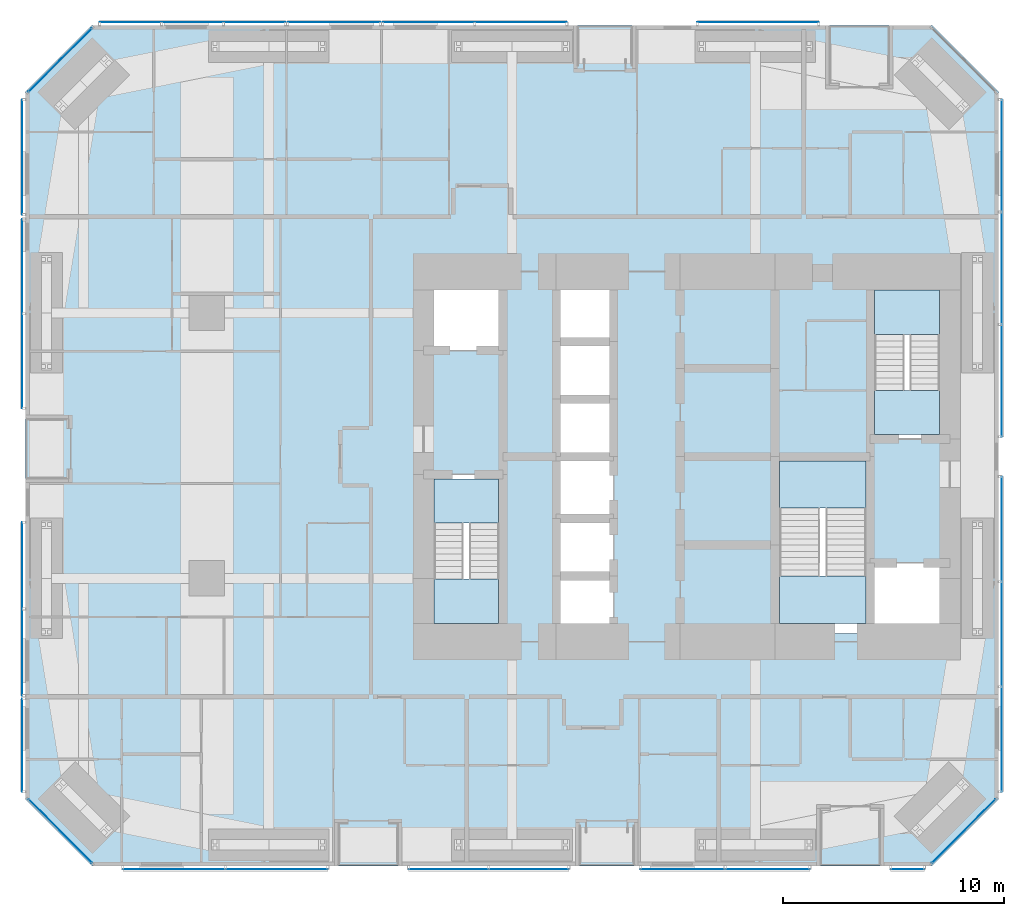
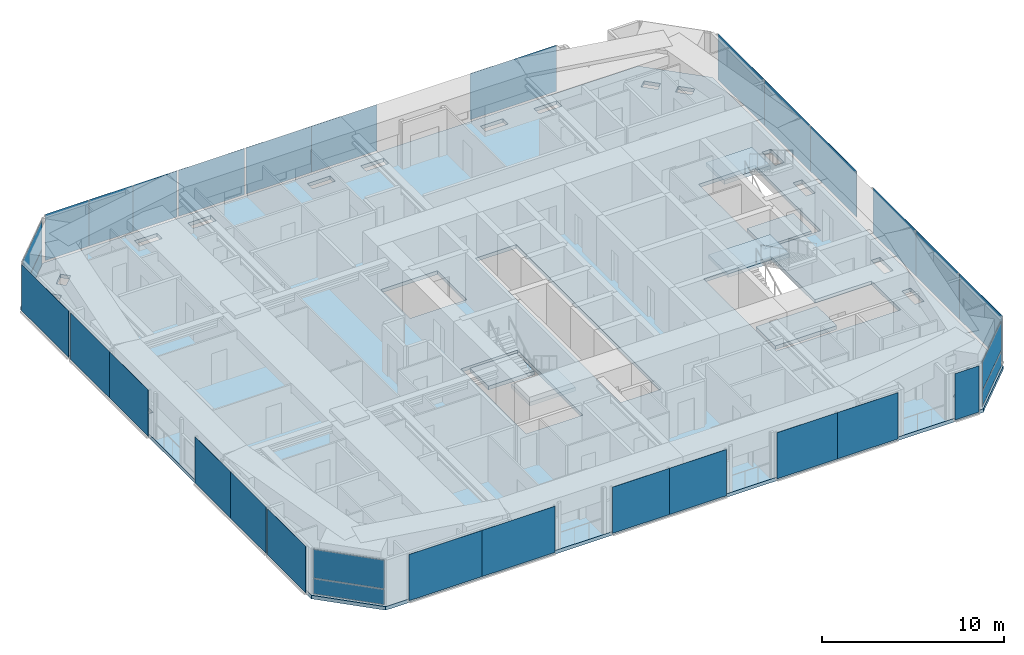
# One storey, part 15 of 23: 32 plates, 7 slabs, 20 elements without a shape of their own.
"""IFC4 building model written with IfcOpenShell, lengths in metres."""

from ifc_helpers import new_model, si_unit, direction, frame, origin, origin_2d, place, context, subcontext, project, spatial, polyline, rectangle, outline, extrude, material, layer, layer_set, type_object, element, aggregate, save


model = new_model("IFC4")

# Units and contexts
model_context = context("Model", 3, precision=1e-05, world=origin(), true_north=direction((0.0, 1.0)))
body_context = subcontext(model_context, "Body", "Model", "MODEL_VIEW")
ifc_project = project(units=[si_unit("LENGTHUNIT", "METRE"), si_unit("AREAUNIT", "SQUARE_METRE"), si_unit("VOLUMEUNIT", "CUBIC_METRE"), si_unit("PLANEANGLEUNIT", "RADIAN"), si_unit("MASSUNIT", "GRAM", prefix="KILO")], contexts=[model_context])

# Site, building, storey
site_placement = place(None, origin())
site = spatial("IfcSite", under=ifc_project, at=site_placement, CompositionType="ELEMENT")
building_placement = place(site_placement, origin())
building = spatial("IfcBuilding", under=site, at=building_placement, Name="Jalousie Tower", CompositionType="ELEMENT")
storey_placement = place(building_placement, frame((0.0, 0.0, 31.050048828125)))
storey = spatial("IfcBuildingStorey", under=building, at=storey_placement, Name="L07", CompositionType="ELEMENT", Elevation=31.050048828125)

# Curtain wall, plates
ifc_material_1 = material(Name="Aluminium curtain wall", Category="aluminium")
curtain_wall_type_1 = type_object("IfcCurtainWallType", Name="CORNER WINDOW WALL", PredefinedType="USERDEFINED", material=ifc_material_1)
curtain_wall_1_placement = place(storey_placement, origin())
curtain_wall_1 = element("IfcCurtainWall", 1, at=curtain_wall_1_placement, inside=storey, type_object=curtain_wall_type_1, Name="Corner Window Wall L07 2", ObjectType="CORNER WINDOW WALL", PredefinedType="USERDEFINED")
ifc_material_2 = material(Name="Laminated impact-rated spandrel glass", Category="glass")
ifc_layer_1 = layer(ifc_material_2, 0.028076171875)
ifc_layer_set_1 = layer_set([ifc_layer_1], Name="Laminated impact-rated spandrel glass")
plate_type_1 = type_object("IfcPlateType", Name="CORNER WINDOW WALL PANEL", PredefinedType="CURTAIN_PANEL", material=ifc_layer_set_1)
plate_1_placement = place(storey_placement, frame((44.4306640625, 1.5693359375, 0.06005859375), z_axis=(0.0, 0.0, 1.0), x_axis=(0.707106781187, 0.707106781187, 0.0)))
plate_1 = element("IfcPlate", 2, at=plate_1_placement, type_object=plate_type_1, Name="CW-C panel 1.1", PredefinedType="CURTAIN_PANEL", context=body_context, shape_type="SweptSolid", body=[
    extrude(rectangle(XDim=4.071533203125, YDim=0.028076171875, at=origin_2d()), origin(), (0.0, 0.0, 1.0), 1.010009765625),
])
plate_2_placement = place(storey_placement, frame((44.4306640625, 1.5693359375, 1.1298828125), z_axis=(0.0, 0.0, 1.0), x_axis=(0.707106781187, 0.707106781187, 0.0)))
plate_2 = element("IfcPlate", 3, at=plate_2_placement, type_object=plate_type_1, Name="CW-C panel 1.2", PredefinedType="CURTAIN_PANEL", context=body_context, shape_type="SweptSolid", body=[
    extrude(rectangle(XDim=4.071533203125, YDim=0.028076171875, at=origin_2d()), origin(), (0.0, 0.0, 1.0), 1.919921875),
])
aggregate(curtain_wall_1, [plate_1, plate_2])

curtain_wall_2_placement = place(storey_placement, origin())
curtain_wall_2 = element("IfcCurtainWall", 4, at=curtain_wall_2_placement, inside=storey, type_object=curtain_wall_type_1, Name="Corner Window Wall L07 6", ObjectType="CORNER WINDOW WALL", PredefinedType="USERDEFINED")
plate_3_placement = place(storey_placement, frame((3.5693359375, 36.4306640625, 0.06005859375), z_axis=(0.0, 0.0, 1.0), x_axis=(-0.707106781187, -0.707106781187, 0.0)))
plate_3 = element("IfcPlate", 5, at=plate_3_placement, type_object=plate_type_1, Name="CW-C panel 1.1", PredefinedType="CURTAIN_PANEL", context=body_context, shape_type="SweptSolid", body=[
    extrude(rectangle(XDim=4.071533203125, YDim=0.028076171875, at=origin_2d()), origin(), (0.0, 0.0, 1.0), 1.010009765625),
])
plate_4_placement = place(storey_placement, frame((3.5693359375, 36.4306640625, 1.1298828125), z_axis=(0.0, 0.0, 1.0), x_axis=(-0.707106781187, -0.707106781187, 0.0)))
plate_4 = element("IfcPlate", 6, at=plate_4_placement, type_object=plate_type_1, Name="CW-C panel 1.2", PredefinedType="CURTAIN_PANEL", context=body_context, shape_type="SweptSolid", body=[
    extrude(rectangle(XDim=4.071533203125, YDim=0.028076171875, at=origin_2d()), origin(), (0.0, 0.0, 1.0), 1.919921875),
])
aggregate(curtain_wall_2, [plate_3, plate_4])

curtain_wall_3_placement = place(storey_placement, origin())
curtain_wall_3 = element("IfcCurtainWall", 7, at=curtain_wall_3_placement, inside=storey, type_object=curtain_wall_type_1, Name="Corner Window Wall L07 8", ObjectType="CORNER WINDOW WALL", PredefinedType="USERDEFINED")
plate_5_placement = place(storey_placement, frame((3.5693359375, 1.5693359375, 0.06005859375), z_axis=(0.0, 0.0, 1.0), x_axis=(0.707106781187, -0.707106781187, 0.0)))
plate_5 = element("IfcPlate", 8, at=plate_5_placement, type_object=plate_type_1, Name="CW-C panel 1.1", PredefinedType="CURTAIN_PANEL", context=body_context, shape_type="SweptSolid", body=[
    extrude(rectangle(XDim=4.071533203125, YDim=0.028076171875, at=origin_2d()), origin(), (0.0, 0.0, 1.0), 1.010009765625),
])
plate_6_placement = place(storey_placement, frame((3.5693359375, 1.5693359375, 1.1298828125), z_axis=(0.0, 0.0, 1.0), x_axis=(0.707106781187, -0.707106781187, 0.0)))
plate_6 = element("IfcPlate", 9, at=plate_6_placement, type_object=plate_type_1, Name="CW-C panel 1.2", PredefinedType="CURTAIN_PANEL", context=body_context, shape_type="SweptSolid", body=[
    extrude(rectangle(XDim=4.071533203125, YDim=0.028076171875, at=origin_2d()), origin(), (0.0, 0.0, 1.0), 1.919921875),
])
aggregate(curtain_wall_3, [plate_5, plate_6])

# Slab
ifc_material_3 = material(Name="Concrete f'c 40 MPa", Category="concrete")
ifc_layer_2 = layer(ifc_material_3, 0.239990234375)
ifc_layer_set_2 = layer_set([ifc_layer_2], Name="Concrete f'c 40 MPa")
slab_type_1 = type_object("IfcSlabType", Name="FLOOR SLAB 240", PredefinedType="FLOOR", material=ifc_layer_set_2)
slab_1_placement = place(storey_placement, frame((0.0, 0.0, -0.239990234375)))
element("IfcSlab", 10, at=slab_1_placement, inside=storey, type_object=slab_type_1, Name="L07 floor slab", PredefinedType="FLOOR", context=body_context, shape_type="SweptSolid", body=[
    extrude(outline(polyline([(5.0, 0.0), (43.0, 0.0), (46.0, 3.0), (46.0, 35.0), (43.0, 38.0), (5.0, 38.0), (2.0, 35.0), (2.0, 3.0), (5.0, 0.0)]), holes=[polyline([(24.974609375, 0.663818359375), (24.974609375, 1.236083984375), (26.3642578125, 1.236083984375), (26.425048828125, 1.236083984375), (26.425048828125, 0.663818359375), (26.3642578125, 0.663818359375), (24.974609375, 0.663818359375)]), polyline([(23.025390625, 1.236083984375), (23.025390625, 0.663818359375), (21.6357421875, 0.663818359375), (21.574951171875, 0.663818359375), (21.574951171875, 1.236083984375), (21.6357421875, 1.236083984375), (23.025390625, 1.236083984375)]), polyline([(10.574951171875, 1.236083984375), (10.6357421875, 1.236083984375), (12.025390625, 1.236083984375), (12.025390625, 0.663818359375), (10.6357421875, 0.663818359375), (10.574951171875, 0.663818359375), (10.574951171875, 1.236083984375)]), polyline([(13.974609375, 1.236083984375), (15.3642578125, 1.236083984375), (15.425048828125, 1.236083984375), (15.425048828125, 0.663818359375), (15.3642578125, 0.663818359375), (13.974609375, 0.663818359375), (13.974609375, 1.236083984375)]), polyline([(4.78564453125, 2.072509765625), (5.1904296875, 2.47705078125), (5.778076171875, 1.889404296875), (5.778076171875, 1.889404296875), (5.859130859375, 1.808349609375), (5.65673828125, 1.606201171875), (5.454345703125, 1.40380859375), (5.454345703125, 1.40380859375), (5.454345703125, 1.40380859375), (5.373291015625, 1.484619140625), (4.78564453125, 2.072509765625)]), polyline([(3.606201171875, 3.65673828125), (3.808349609375, 3.859130859375), (4.47705078125, 3.1904296875), (4.072509765625, 2.78564453125), (3.484619140625, 3.373291015625), (3.40380859375, 3.454345703125), (3.40380859375, 3.454345703125), (3.40380859375, 3.454345703125), (3.606201171875, 3.65673828125)]), polyline([(3.236083984375, 10.574951171875), (2.663818359375, 10.574951171875), (2.663818359375, 10.6357421875), (2.663818359375, 12.025390625), (3.236083984375, 12.025390625), (3.236083984375, 10.6357421875), (3.236083984375, 10.574951171875)]), polyline([(20.0, 10.5), (23.60009765625, 10.5), (23.60009765625, 17.699951171875), (20.0, 17.699951171875), (20.0, 10.5)]), polyline([(3.236083984375, 15.3642578125), (3.236083984375, 13.974609375), (2.663818359375, 13.974609375), (2.663818359375, 15.3642578125), (2.663818359375, 15.425048828125), (3.236083984375, 15.425048828125), (3.236083984375, 15.3642578125)]), polyline([(26.0, 26.5), (28.60009765625, 26.5), (28.60009765625, 10.5), (26.0, 10.5), (26.0, 26.5)]), polyline([(2.663818359375, 24.025390625), (3.236083984375, 24.025390625), (3.236083984375, 22.6357421875), (3.236083984375, 22.574951171875), (2.663818359375, 22.574951171875), (2.663818359375, 22.6357421875), (2.663818359375, 24.025390625)]), polyline([(20.0, 23.300048828125), (23.60009765625, 23.300048828125), (23.60009765625, 26.5), (20.0, 26.5), (20.0, 23.300048828125)]), polyline([(3.236083984375, 25.974609375), (2.663818359375, 25.974609375), (2.663818359375, 27.3642578125), (2.663818359375, 27.425048828125), (3.236083984375, 27.425048828125), (3.236083984375, 27.3642578125), (3.236083984375, 25.974609375)]), polyline([(3.808349609375, 34.140869140625), (3.606201171875, 34.34326171875), (3.40380859375, 34.545654296875), (3.484619140625, 34.626708984375), (3.484619140625, 34.626708984375), (4.072509765625, 35.21435546875), (4.47705078125, 34.8095703125), (3.889404296875, 34.221923828125), (3.808349609375, 34.140869140625), (3.808349609375, 34.140869140625), (3.808349609375, 34.140869140625)]), polyline([(5.65673828125, 36.393798828125), (5.859130859375, 36.191650390625), (5.1904296875, 35.52294921875), (4.78564453125, 35.927490234375), (5.373291015625, 36.515380859375), (5.38037109375, 36.522216796875), (5.454345703125, 36.59619140625), (5.454345703125, 36.59619140625), (5.65673828125, 36.393798828125)]), polyline([(15.3642578125, 36.763916015625), (13.974609375, 36.763916015625), (13.974609375, 37.336181640625), (15.3642578125, 37.336181640625), (15.425048828125, 37.336181640625), (15.425048828125, 36.763916015625), (15.3642578125, 36.763916015625)]), polyline([(10.574951171875, 36.763916015625), (10.574951171875, 37.336181640625), (10.6357421875, 37.336181640625), (12.025390625, 37.336181640625), (12.025390625, 36.763916015625), (10.6357421875, 36.763916015625), (10.574951171875, 36.763916015625)]), polyline([(23.025390625, 37.336181640625), (23.025390625, 36.763916015625), (21.6357421875, 36.763916015625), (21.574951171875, 36.763916015625), (21.574951171875, 37.336181640625), (21.6357421875, 37.336181640625), (23.025390625, 37.336181640625)]), polyline([(24.974609375, 36.763916015625), (24.974609375, 37.336181640625), (26.3642578125, 37.336181640625), (26.425048828125, 37.336181640625), (26.425048828125, 36.763916015625), (26.3642578125, 36.763916015625), (24.974609375, 36.763916015625)]), polyline([(32.6357421875, 1.236083984375), (34.025390625, 1.236083984375), (34.025390625, 0.663818359375), (32.6357421875, 0.663818359375), (32.574951171875, 0.663818359375), (32.574951171875, 1.236083984375), (32.6357421875, 1.236083984375)]), polyline([(37.3642578125, 1.236083984375), (37.425048828125, 1.236083984375), (37.425048828125, 0.663818359375), (37.3642578125, 0.663818359375), (35.974609375, 0.663818359375), (35.974609375, 1.236083984375), (37.3642578125, 1.236083984375)]), polyline([(42.626708984375, 1.484619140625), (42.545654296875, 1.40380859375), (42.34326171875, 1.606201171875), (42.140869140625, 1.808349609375), (42.140869140625, 1.808349609375), (42.140869140625, 1.808349609375), (42.221923828125, 1.889404296875), (42.8095703125, 2.47705078125), (43.21435546875, 2.072509765625), (42.626708984375, 1.484619140625), (42.626708984375, 1.484619140625)]), polyline([(44.191650390625, 3.859130859375), (44.393798828125, 3.65673828125), (44.59619140625, 3.454345703125), (44.59619140625, 3.454345703125), (44.59619140625, 3.454345703125), (43.927490234375, 2.78564453125), (43.52294921875, 3.1904296875), (44.191650390625, 3.859130859375)]), polyline([(45.336181640625, 10.574951171875), (44.763916015625, 10.574951171875), (44.763916015625, 10.6357421875), (44.763916015625, 12.025390625), (45.336181640625, 12.025390625), (45.336181640625, 10.6357421875), (45.336181640625, 10.574951171875)]), polyline([(35.89990234375, 18.5), (40.199951171875, 18.5), (40.199951171875, 13.699951171875), (43.800048828125, 13.699951171875), (43.800048828125, 10.5), (35.89990234375, 10.5), (35.89990234375, 18.5)]), polyline([(45.336181640625, 13.974609375), (44.763916015625, 13.974609375), (44.763916015625, 15.3642578125), (44.763916015625, 15.425048828125), (45.336181640625, 15.425048828125), (45.336181640625, 15.3642578125), (45.336181640625, 13.974609375)]), polyline([(40.199951171875, 19.300048828125), (43.800048828125, 19.300048828125), (43.800048828125, 26.5), (40.199951171875, 26.5), (40.199951171875, 19.300048828125)]), polyline([(45.336181640625, 22.574951171875), (44.763916015625, 22.574951171875), (44.763916015625, 22.6357421875), (44.763916015625, 24.025390625), (45.336181640625, 24.025390625), (45.336181640625, 22.6357421875), (45.336181640625, 22.574951171875)]), polyline([(45.336181640625, 27.3642578125), (45.336181640625, 25.974609375), (44.763916015625, 25.974609375), (44.763916015625, 27.3642578125), (44.763916015625, 27.425048828125), (45.336181640625, 27.425048828125), (45.336181640625, 27.3642578125)]), polyline([(43.927490234375, 35.21435546875), (44.59619140625, 34.545654296875), (44.59619140625, 34.545654296875), (44.393798828125, 34.34326171875), (44.191650390625, 34.140869140625), (43.52294921875, 34.8095703125), (43.927490234375, 35.21435546875)]), polyline([(43.21435546875, 35.927490234375), (42.8095703125, 35.52294921875), (42.140869140625, 36.191650390625), (42.34326171875, 36.393798828125), (42.545654296875, 36.59619140625), (42.545654296875, 36.59619140625), (43.21435546875, 35.927490234375)]), polyline([(37.3642578125, 37.336181640625), (37.425048828125, 37.336181640625), (37.425048828125, 36.763916015625), (37.3642578125, 36.763916015625), (35.974609375, 36.763916015625), (35.974609375, 37.336181640625), (37.3642578125, 37.336181640625)]), polyline([(32.6357421875, 37.336181640625), (34.025390625, 37.336181640625), (34.025390625, 36.763916015625), (32.6357421875, 36.763916015625), (32.574951171875, 36.763916015625), (32.574951171875, 37.336181640625), (32.6357421875, 37.336181640625)])]), origin(), (0.0, 0.0, 1.0), 0.239990234375),
])

# Curtain wall, plates
ifc_material_4 = material(Name="Perforated aluminium sheet", Category="aluminium")
curtain_wall_type_2 = type_object("IfcCurtainWallType", Name="SOLAR SCREEN SS-1", PredefinedType="USERDEFINED", material=ifc_material_4)
curtain_wall_4_placement = place(storey_placement, origin())
curtain_wall_4 = element("IfcCurtainWall", 11, at=curtain_wall_4_placement, inside=storey, type_object=curtain_wall_type_2, Name="Solar screen L07", ObjectType="SOLAR SCREEN SS-1", PredefinedType="USERDEFINED")
ifc_material_5 = material(Name="Perforated aluminium sheet", Category="aluminium")
ifc_layer_3 = layer(ifc_material_5, 0.006103515625)
ifc_layer_set_3 = layer_set([ifc_layer_3], Name="Perforated aluminium sheet")
plate_type_2 = type_object("IfcPlateType", Name="SOLAR SCREEN SS-1 PANEL", PredefinedType="CURTAIN_PANEL", material=ifc_layer_set_3)
plate_7_placement = place(storey_placement, frame((8.71875, -0.150390625, 0.0), z_axis=(0.0, 0.0, 1.0), x_axis=(1.0, 0.0, 0.0)))
plate_7 = element("IfcPlate", 12, at=plate_7_placement, type_object=plate_type_2, Name="SS1 perforated panel 1", PredefinedType="CURTAIN_PANEL", context=body_context, shape_type="SweptSolid", body=[
    extrude(rectangle(XDim=4.637451171875, YDim=0.006103515625, at=origin_2d()), origin(), (0.0, 0.0, 1.0), 3.110107421875),
])
plate_8_placement = place(storey_placement, frame((13.356201171875, -0.150390625, 0.0), z_axis=(0.0, 0.0, 1.0), x_axis=(1.0, 0.0, 0.0)))
plate_8 = element("IfcPlate", 13, at=plate_8_placement, type_object=plate_type_2, Name="SS1 perforated panel 2", PredefinedType="CURTAIN_PANEL", context=body_context, shape_type="SweptSolid", body=[
    extrude(rectangle(XDim=4.637451171875, YDim=0.006103515625, at=origin_2d()), origin(), (0.0, 0.0, 1.0), 3.110107421875),
])
aggregate(curtain_wall_4, [plate_7, plate_8])

curtain_wall_5_placement = place(storey_placement, origin())
curtain_wall_5 = element("IfcCurtainWall", 14, at=curtain_wall_5_placement, inside=storey, type_object=curtain_wall_type_2, Name="Solar screen L07", ObjectType="SOLAR SCREEN SS-1", PredefinedType="USERDEFINED")
plate_9_placement = place(storey_placement, frame((21.137451171875, -0.150390625, 0.0), z_axis=(0.0, 0.0, 1.0), x_axis=(1.0, 0.0, 0.0)))
plate_9 = element("IfcPlate", 15, at=plate_9_placement, type_object=plate_type_2, Name="SS1 perforated panel 1", PredefinedType="CURTAIN_PANEL", context=body_context, shape_type="SweptSolid", body=[
    extrude(rectangle(XDim=3.625, YDim=0.006103515625, at=origin_2d()), origin(), (0.0, 0.0, 1.0), 3.110107421875),
])
plate_10_placement = place(storey_placement, frame((24.762451171875, -0.150390625, 0.0), z_axis=(0.0, 0.0, 1.0), x_axis=(1.0, 0.0, 0.0)))
plate_10 = element("IfcPlate", 16, at=plate_10_placement, type_object=plate_type_2, Name="SS1 perforated panel 2", PredefinedType="CURTAIN_PANEL", context=body_context, shape_type="SweptSolid", body=[
    extrude(rectangle(XDim=3.625, YDim=0.006103515625, at=origin_2d()), origin(), (0.0, 0.0, 1.0), 3.110107421875),
])
aggregate(curtain_wall_5, [plate_9, plate_10])

curtain_wall_6_placement = place(storey_placement, origin())
curtain_wall_6 = element("IfcCurtainWall", 17, at=curtain_wall_6_placement, inside=storey, type_object=curtain_wall_type_2, Name="Solar screen L07", ObjectType="SOLAR SCREEN SS-1", PredefinedType="USERDEFINED")
plate_11_placement = place(storey_placement, frame((31.71875, -0.150390625, 0.0), z_axis=(0.0, 0.0, 1.0), x_axis=(1.0, 0.0, 0.0)))
plate_11 = element("IfcPlate", 18, at=plate_11_placement, type_object=plate_type_2, Name="SS1 perforated panel 1", PredefinedType="CURTAIN_PANEL", context=body_context, shape_type="SweptSolid", body=[
    extrude(rectangle(XDim=3.83740234375, YDim=0.006103515625, at=origin_2d()), origin(), (0.0, 0.0, 1.0), 3.110107421875),
])
plate_12_placement = place(storey_placement, frame((35.55615234375, -0.150390625, 0.0), z_axis=(0.0, 0.0, 1.0), x_axis=(1.0, 0.0, 0.0)))
plate_12 = element("IfcPlate", 19, at=plate_12_placement, type_object=plate_type_2, Name="SS1 perforated panel 2", PredefinedType="CURTAIN_PANEL", context=body_context, shape_type="SweptSolid", body=[
    extrude(rectangle(XDim=3.83740234375, YDim=0.006103515625, at=origin_2d()), origin(), (0.0, 0.0, 1.0), 3.110107421875),
])
aggregate(curtain_wall_6, [plate_11, plate_12])

# Curtain wall, plate
curtain_wall_7_placement = place(storey_placement, origin())
curtain_wall_7 = element("IfcCurtainWall", 20, at=curtain_wall_7_placement, inside=storey, type_object=curtain_wall_type_2, Name="Solar screen L07", ObjectType="SOLAR SCREEN SS-1", PredefinedType="USERDEFINED")
plate_13_placement = place(storey_placement, frame((41.88671875, -0.150390625, 0.0), z_axis=(0.0, 0.0, 1.0), x_axis=(1.0, 0.0, 0.0)))
plate_13 = element("IfcPlate", 21, at=plate_13_placement, type_object=plate_type_2, Name="SS1 perforated panel 1", PredefinedType="CURTAIN_PANEL", context=body_context, shape_type="SweptSolid", body=[
    extrude(rectangle(XDim=1.523681640625, YDim=0.006103515625, at=origin_2d()), origin(), (0.0, 0.0, 1.0), 3.110107421875),
])
aggregate(curtain_wall_7, [plate_13])

# Curtain wall, plates
curtain_wall_8_placement = place(storey_placement, origin())
curtain_wall_8 = element("IfcCurtainWall", 22, at=curtain_wall_8_placement, inside=storey, type_object=curtain_wall_type_2, Name="Solar screen L07", ObjectType="SOLAR SCREEN SS-1", PredefinedType="USERDEFINED")
plate_14_placement = place(storey_placement, frame((46.150390625, 5.72607421875, 0.0), z_axis=(0.0, 0.0, 1.0), x_axis=(0.0, 1.0, 0.0)))
plate_14 = element("IfcPlate", 23, at=plate_14_placement, type_object=plate_type_2, Name="SS1 perforated panel 1", PredefinedType="CURTAIN_PANEL", context=body_context, shape_type="SweptSolid", body=[
    extrude(rectangle(XDim=4.74951171875, YDim=0.006103515625, at=origin_2d()), origin(), (0.0, 0.0, 1.0), 3.110107421875),
])
plate_15_placement = place(storey_placement, frame((46.150390625, 10.4755859375, 0.0), z_axis=(0.0, 0.0, 1.0), x_axis=(0.0, 1.0, 0.0)))
plate_15 = element("IfcPlate", 24, at=plate_15_placement, type_object=plate_type_2, Name="SS1 perforated panel 2", PredefinedType="CURTAIN_PANEL", context=body_context, shape_type="SweptSolid", body=[
    extrude(rectangle(XDim=4.74951171875, YDim=0.006103515625, at=origin_2d()), origin(), (0.0, 0.0, 1.0), 3.110107421875),
])
plate_16_placement = place(storey_placement, frame((46.150390625, 15.22509765625, 0.0), z_axis=(0.0, 0.0, 1.0), x_axis=(0.0, 1.0, 0.0)))
plate_16 = element("IfcPlate", 25, at=plate_16_placement, type_object=plate_type_2, Name="SS1 perforated panel 3", PredefinedType="CURTAIN_PANEL", context=body_context, shape_type="SweptSolid", body=[
    extrude(rectangle(XDim=4.74951171875, YDim=0.006103515625, at=origin_2d()), origin(), (0.0, 0.0, 1.0), 3.110107421875),
])
aggregate(curtain_wall_8, [plate_14, plate_15, plate_16])

curtain_wall_9_placement = place(storey_placement, origin())
curtain_wall_9 = element("IfcCurtainWall", 26, at=curtain_wall_9_placement, inside=storey, type_object=curtain_wall_type_2, Name="Solar screen L07", ObjectType="SOLAR SCREEN SS-1", PredefinedType="USERDEFINED")
plate_17_placement = place(storey_placement, frame((46.150390625, 21.94140625, 0.0), z_axis=(0.0, 0.0, 1.0), x_axis=(0.0, 1.0, 0.0)))
plate_17 = element("IfcPlate", 27, at=plate_17_placement, type_object=plate_type_2, Name="SS1 perforated panel 1", PredefinedType="CURTAIN_PANEL", context=body_context, shape_type="SweptSolid", body=[
    extrude(rectangle(XDim=5.0830078125, YDim=0.006103515625, at=origin_2d()), origin(), (0.0, 0.0, 1.0), 3.110107421875),
])
plate_18_placement = place(storey_placement, frame((46.150390625, 27.0244140625, 0.0), z_axis=(0.0, 0.0, 1.0), x_axis=(0.0, 1.0, 0.0)))
plate_18 = element("IfcPlate", 28, at=plate_18_placement, type_object=plate_type_2, Name="SS1 perforated panel 2", PredefinedType="CURTAIN_PANEL", context=body_context, shape_type="SweptSolid", body=[
    extrude(rectangle(XDim=5.0830078125, YDim=0.006103515625, at=origin_2d()), origin(), (0.0, 0.0, 1.0), 3.110107421875),
])
plate_19_placement = place(storey_placement, frame((46.150390625, 32.107177734375, 0.0), z_axis=(0.0, 0.0, 1.0), x_axis=(0.0, 1.0, 0.0)))
plate_19 = element("IfcPlate", 29, at=plate_19_placement, type_object=plate_type_2, Name="SS1 perforated panel 3", PredefinedType="CURTAIN_PANEL", context=body_context, shape_type="SweptSolid", body=[
    extrude(rectangle(XDim=5.0830078125, YDim=0.006103515625, at=origin_2d()), origin(), (0.0, 0.0, 1.0), 3.110107421875),
])
aggregate(curtain_wall_9, [plate_17, plate_18, plate_19])

# Curtain wall, plate
curtain_wall_10_placement = place(storey_placement, origin())
curtain_wall_10 = element("IfcCurtainWall", 30, at=curtain_wall_10_placement, inside=storey, type_object=curtain_wall_type_2, Name="Solar screen L07", ObjectType="SOLAR SCREEN SS-1", PredefinedType="USERDEFINED")
plate_20_placement = place(storey_placement, frame((35.127685546875, 38.150390625, 0.0), z_axis=(0.0, 0.0, 1.0), x_axis=(-1.0, 0.0, 0.0)))
plate_20 = element("IfcPlate", 31, at=plate_20_placement, type_object=plate_type_2, Name="SS1 perforated panel 1", PredefinedType="CURTAIN_PANEL", context=body_context, shape_type="SweptSolid", body=[
    extrude(rectangle(XDim=5.49169921875, YDim=0.006103515625, at=origin_2d()), origin(), (0.0, 0.0, 1.0), 3.110107421875),
])
aggregate(curtain_wall_10, [plate_20])

# Curtain wall, plates
curtain_wall_11_placement = place(storey_placement, origin())
curtain_wall_11 = element("IfcCurtainWall", 32, at=curtain_wall_11_placement, inside=storey, type_object=curtain_wall_type_2, Name="Solar screen L07", ObjectType="SOLAR SCREEN SS-1", PredefinedType="USERDEFINED")
plate_21_placement = place(storey_placement, frame((24.39990234375, 38.150390625, 0.0), z_axis=(0.0, 0.0, 1.0), x_axis=(-1.0, 0.0, 0.0)))
plate_21 = element("IfcPlate", 33, at=plate_21_placement, type_object=plate_type_2, Name="SS1 perforated panel 1", PredefinedType="CURTAIN_PANEL", context=body_context, shape_type="SweptSolid", body=[
    extrude(rectangle(XDim=4.16650390625, YDim=0.006103515625, at=origin_2d()), origin(), (0.0, 0.0, 1.0), 3.110107421875),
])
plate_22_placement = place(storey_placement, frame((20.2333984375, 38.150390625, 0.0), z_axis=(0.0, 0.0, 1.0), x_axis=(-1.0, 0.0, 0.0)))
plate_22 = element("IfcPlate", 34, at=plate_22_placement, type_object=plate_type_2, Name="SS1 perforated panel 2", PredefinedType="CURTAIN_PANEL", context=body_context, shape_type="SweptSolid", body=[
    extrude(rectangle(XDim=4.16650390625, YDim=0.006103515625, at=origin_2d()), origin(), (0.0, 0.0, 1.0), 3.110107421875),
])
aggregate(curtain_wall_11, [plate_21, plate_22])

# Curtain wall, plate
curtain_wall_12_placement = place(storey_placement, origin())
curtain_wall_12 = element("IfcCurtainWall", 35, at=curtain_wall_12_placement, inside=storey, type_object=curtain_wall_type_2, Name="Solar screen L07", ObjectType="SOLAR SCREEN SS-1", PredefinedType="USERDEFINED")
plate_23_placement = place(storey_placement, frame((15.949951171875, 38.150390625, 0.0), z_axis=(0.0, 0.0, 1.0), x_axis=(-1.0, 0.0, 0.0)))
plate_23 = element("IfcPlate", 36, at=plate_23_placement, type_object=plate_type_2, Name="SS1 perforated panel 1", PredefinedType="CURTAIN_PANEL", context=body_context, shape_type="SweptSolid", body=[
    extrude(rectangle(XDim=4.199951171875, YDim=0.006103515625, at=origin_2d()), origin(), (0.0, 0.0, 1.0), 3.110107421875),
])
aggregate(curtain_wall_12, [plate_23])

# Curtain wall, plates
curtain_wall_13_placement = place(storey_placement, origin())
curtain_wall_13 = element("IfcCurtainWall", 37, at=curtain_wall_13_placement, inside=storey, type_object=curtain_wall_type_2, Name="Solar screen L07", ObjectType="SOLAR SCREEN SS-1", PredefinedType="USERDEFINED")
plate_24_placement = place(storey_placement, frame((12.35009765625, 38.150390625, 0.0), z_axis=(0.0, 0.0, 1.0), x_axis=(-1.0, 0.0, 0.0)))
plate_24 = element("IfcPlate", 38, at=plate_24_placement, type_object=plate_type_2, Name="SS1 perforated panel 1", PredefinedType="CURTAIN_PANEL", context=body_context, shape_type="SweptSolid", body=[
    extrude(rectangle(XDim=2.799560546875, YDim=0.006103515625, at=origin_2d()), origin(), (0.0, 0.0, 1.0), 3.110107421875),
])
plate_25_placement = place(storey_placement, frame((9.55078125, 38.150390625, 0.0), z_axis=(0.0, 0.0, 1.0), x_axis=(-1.0, 0.0, 0.0)))
plate_25 = element("IfcPlate", 39, at=plate_25_placement, type_object=plate_type_2, Name="SS1 perforated panel 2", PredefinedType="CURTAIN_PANEL", context=body_context, shape_type="SweptSolid", body=[
    extrude(rectangle(XDim=2.799560546875, YDim=0.006103515625, at=origin_2d()), origin(), (0.0, 0.0, 1.0), 3.110107421875),
])
plate_26_placement = place(storey_placement, frame((6.751220703125, 38.150390625, 0.0), z_axis=(0.0, 0.0, 1.0), x_axis=(-1.0, 0.0, 0.0)))
plate_26 = element("IfcPlate", 40, at=plate_26_placement, type_object=plate_type_2, Name="SS1 perforated panel 3", PredefinedType="CURTAIN_PANEL", context=body_context, shape_type="SweptSolid", body=[
    extrude(rectangle(XDim=2.799560546875, YDim=0.006103515625, at=origin_2d()), origin(), (0.0, 0.0, 1.0), 3.110107421875),
])
aggregate(curtain_wall_13, [plate_24, plate_25, plate_26])

# Curtain wall, plate
curtain_wall_14_placement = place(storey_placement, origin())
curtain_wall_14 = element("IfcCurtainWall", 41, at=curtain_wall_14_placement, inside=storey, type_object=curtain_wall_type_2, Name="Solar screen L07", ObjectType="SOLAR SCREEN SS-1", PredefinedType="USERDEFINED")
plate_27_placement = place(storey_placement, frame((1.849609375, 32.04931640625, 0.0), z_axis=(0.0, 0.0, 1.0), x_axis=(0.0, -1.0, 0.0)))
plate_27 = element("IfcPlate", 42, at=plate_27_placement, type_object=plate_type_2, Name="SS1 perforated panel 1", PredefinedType="CURTAIN_PANEL", context=body_context, shape_type="SweptSolid", body=[
    extrude(rectangle(XDim=5.19873046875, YDim=0.006103515625, at=origin_2d()), origin(), (0.0, 0.0, 1.0), 3.110107421875),
])
aggregate(curtain_wall_14, [plate_27])

# Curtain wall, plates
curtain_wall_15_placement = place(storey_placement, origin())
curtain_wall_15 = element("IfcCurtainWall", 43, at=curtain_wall_15_placement, inside=storey, type_object=curtain_wall_type_2, Name="Solar screen L07", ObjectType="SOLAR SCREEN SS-1", PredefinedType="USERDEFINED")
plate_28_placement = place(storey_placement, frame((1.849609375, 27.1103515625, 0.0), z_axis=(0.0, 0.0, 1.0), x_axis=(0.0, -1.0, 0.0)))
plate_28 = element("IfcPlate", 44, at=plate_28_placement, type_object=plate_type_2, Name="SS1 perforated panel 1", PredefinedType="CURTAIN_PANEL", context=body_context, shape_type="SweptSolid", body=[
    extrude(rectangle(XDim=4.279052734375, YDim=0.006103515625, at=origin_2d()), origin(), (0.0, 0.0, 1.0), 3.110107421875),
])
plate_29_placement = place(storey_placement, frame((1.849609375, 22.831298828125, 0.0), z_axis=(0.0, 0.0, 1.0), x_axis=(0.0, -1.0, 0.0)))
plate_29 = element("IfcPlate", 45, at=plate_29_placement, type_object=plate_type_2, Name="SS1 perforated panel 2", PredefinedType="CURTAIN_PANEL", context=body_context, shape_type="SweptSolid", body=[
    extrude(rectangle(XDim=4.279052734375, YDim=0.006103515625, at=origin_2d()), origin(), (0.0, 0.0, 1.0), 3.110107421875),
])
aggregate(curtain_wall_15, [plate_28, plate_29])

curtain_wall_16_placement = place(storey_placement, origin())
curtain_wall_16 = element("IfcCurtainWall", 46, at=curtain_wall_16_placement, inside=storey, type_object=curtain_wall_type_2, Name="Solar screen L07", ObjectType="SOLAR SCREEN SS-1", PredefinedType="USERDEFINED")
plate_30_placement = place(storey_placement, frame((1.849609375, 13.574951171875, 0.0), z_axis=(0.0, 0.0, 1.0), x_axis=(0.0, -1.0, 0.0)))
plate_30 = element("IfcPlate", 47, at=plate_30_placement, type_object=plate_type_2, Name="SS1 perforated panel 1", PredefinedType="CURTAIN_PANEL", context=body_context, shape_type="SweptSolid", body=[
    extrude(rectangle(XDim=3.91650390625, YDim=0.006103515625, at=origin_2d()), origin(), (0.0, 0.0, 1.0), 3.110107421875),
])
plate_31_placement = place(storey_placement, frame((1.849609375, 9.658203125, 0.0), z_axis=(0.0, 0.0, 1.0), x_axis=(0.0, -1.0, 0.0)))
plate_31 = element("IfcPlate", 48, at=plate_31_placement, type_object=plate_type_2, Name="SS1 perforated panel 2", PredefinedType="CURTAIN_PANEL", context=body_context, shape_type="SweptSolid", body=[
    extrude(rectangle(XDim=3.91650390625, YDim=0.006103515625, at=origin_2d()), origin(), (0.0, 0.0, 1.0), 3.110107421875),
])
aggregate(curtain_wall_16, [plate_30, plate_31])

# Curtain wall, plate
curtain_wall_17_placement = place(storey_placement, origin())
curtain_wall_17 = element("IfcCurtainWall", 49, at=curtain_wall_17_placement, inside=storey, type_object=curtain_wall_type_2, Name="Solar screen L07", ObjectType="SOLAR SCREEN SS-1", PredefinedType="USERDEFINED")
plate_32_placement = place(storey_placement, frame((1.849609375, 5.45068359375, 0.0), z_axis=(0.0, 0.0, 1.0), x_axis=(0.0, -1.0, 0.0)))
plate_32 = element("IfcPlate", 50, at=plate_32_placement, type_object=plate_type_2, Name="SS1 perforated panel 1", PredefinedType="CURTAIN_PANEL", context=body_context, shape_type="SweptSolid", body=[
    extrude(rectangle(XDim=4.19873046875, YDim=0.006103515625, at=origin_2d()), origin(), (0.0, 0.0, 1.0), 3.110107421875),
])
aggregate(curtain_wall_17, [plate_32])

# Stair, slabs
ifc_material_6 = material(Name="Concrete f'c 40 MPa", Category="concrete")
stair_type = type_object("IfcStairType", Name="EXIT STAIR", PredefinedType="HALF_TURN_STAIR", material=ifc_material_6)
stair_1_placement = place(storey_placement, origin())
stair_1 = element("IfcStair", 51, at=stair_1_placement, inside=storey, type_object=stair_type, Name="Exit stair A L07", PredefinedType="HALF_TURN_STAIR")
ifc_material_7 = material(Name="Concrete f'c 40 MPa", Category="concrete")
ifc_layer_4 = layer(ifc_material_7, 0.25)
ifc_layer_set_4 = layer_set([ifc_layer_4], Name="Concrete f'c 40 MPa")
slab_type_2 = type_object("IfcSlabType", Name="STAIR LANDING 250", PredefinedType="LANDING", material=ifc_layer_set_4)
slab_2_placement = place(storey_placement, frame((0.0, 0.0, -0.25)))
slab_2 = element("IfcSlab", 52, at=slab_2_placement, type_object=slab_type_2, Name="ST-A landing 1", PredefinedType="LANDING", context=body_context, shape_type="SweptSolid", body=[
    extrude(outline(polyline([(20.47509765625, 15.49755859375), (23.39990234375, 15.49755859375), (23.39990234375, 17.5), (20.47509765625, 17.5), (20.47509765625, 15.49755859375)])), origin(), (0.0, 0.0, 1.0), 0.25),
])
slab_3_placement = place(storey_placement, frame((0.0, 0.0, 1.425048828125)))
slab_3 = element("IfcSlab", 53, at=slab_3_placement, type_object=slab_type_2, Name="ST-A landing 2", PredefinedType="LANDING", context=body_context, shape_type="SweptSolid", body=[
    extrude(outline(polyline([(20.47509765625, 10.949951171875), (23.39990234375, 10.949951171875), (23.39990234375, 12.9775390625), (20.47509765625, 12.9775390625), (20.47509765625, 10.949951171875)])), origin(), (0.0, 0.0, 1.0), 0.25),
])
aggregate(stair_1, [slab_2, slab_3])

stair_2_placement = place(storey_placement, origin())
stair_2 = element("IfcStair", 54, at=stair_2_placement, inside=storey, type_object=stair_type, Name="Exit stair B L07", PredefinedType="HALF_TURN_STAIR")
slab_4_placement = place(storey_placement, frame((0.0, 0.0, -0.25)))
slab_4 = element("IfcSlab", 55, at=slab_4_placement, type_object=slab_type_2, Name="ST-B landing 1", PredefinedType="LANDING", context=body_context, shape_type="SweptSolid", body=[
    extrude(outline(polyline([(40.39990234375, 19.5), (43.324951171875, 19.5), (43.324951171875, 21.50244140625), (40.39990234375, 21.50244140625), (40.39990234375, 19.5)])), origin(), (0.0, 0.0, 1.0), 0.25),
])
slab_5_placement = place(storey_placement, frame((0.0, 0.0, 1.425048828125)))
slab_5 = element("IfcSlab", 56, at=slab_5_placement, type_object=slab_type_2, Name="ST-B landing 2", PredefinedType="LANDING", context=body_context, shape_type="SweptSolid", body=[
    extrude(outline(polyline([(40.39990234375, 24.0224609375), (43.324951171875, 24.0224609375), (43.324951171875, 26.050048828125), (40.39990234375, 26.050048828125), (40.39990234375, 24.0224609375)])), origin(), (0.0, 0.0, 1.0), 0.25),
])
aggregate(stair_2, [slab_4, slab_5])

stair_3_placement = place(storey_placement, origin())
stair_3 = element("IfcStair", 57, at=stair_3_placement, inside=storey, type_object=stair_type, Name="Exit stair C L07", PredefinedType="HALF_TURN_STAIR")
slab_6_placement = place(storey_placement, frame((0.0, 0.0, -0.25)))
slab_6 = element("IfcSlab", 58, at=slab_6_placement, type_object=slab_type_2, Name="ST-C landing 1", PredefinedType="LANDING", context=body_context, shape_type="SweptSolid", body=[
    extrude(outline(polyline([(36.10009765625, 10.949951171875), (40.0, 10.949951171875), (40.0, 13.097412109375), (36.10009765625, 13.097412109375), (36.10009765625, 10.949951171875)])), origin(), (0.0, 0.0, 1.0), 0.25),
])
slab_7_placement = place(storey_placement, frame((0.0, 0.0, 1.425048828125)))
slab_7 = element("IfcSlab", 59, at=slab_7_placement, type_object=slab_type_2, Name="ST-C landing 2", PredefinedType="LANDING", context=body_context, shape_type="SweptSolid", body=[
    extrude(outline(polyline([(36.10009765625, 16.177490234375), (40.0, 16.177490234375), (40.0, 18.300048828125), (36.10009765625, 18.300048828125), (36.10009765625, 16.177490234375)])), origin(), (0.0, 0.0, 1.0), 0.25),
])
aggregate(stair_3, [slab_6, slab_7])

save(model, "model.ifc")
